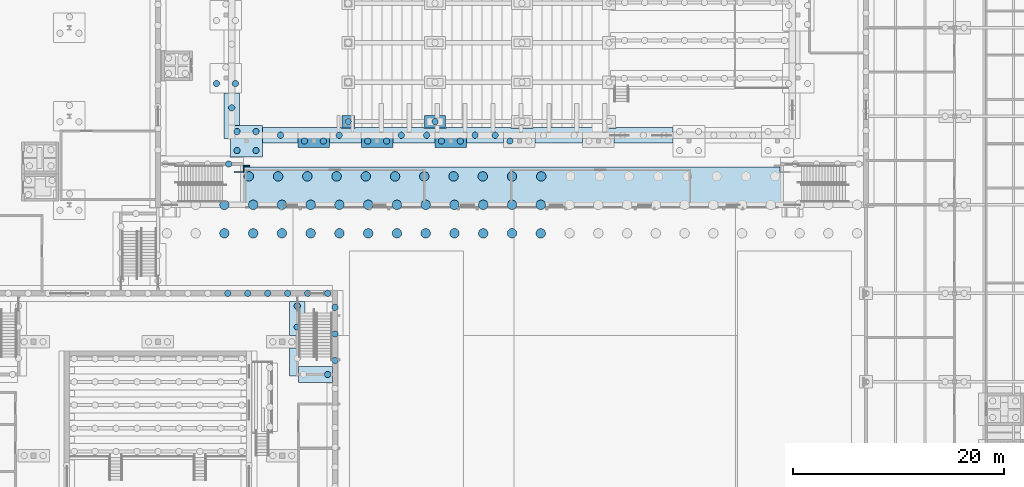
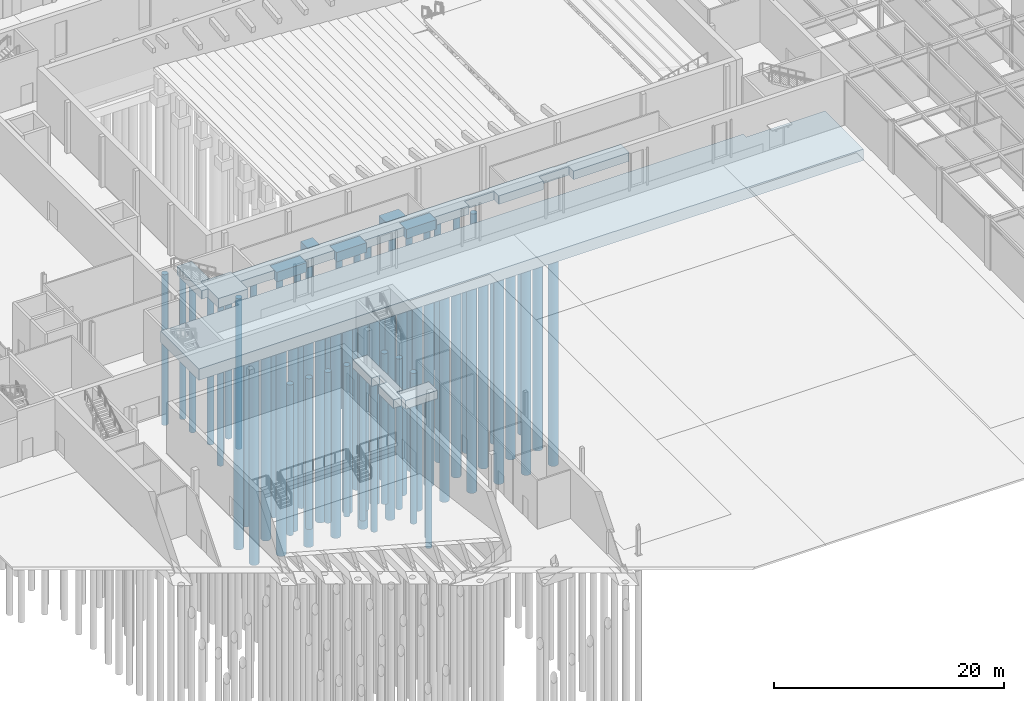
# One storey, part 5 of 127: 70 piles, 12 footings.
"""IFC4 building model written with IfcOpenShell, lengths in metres."""

from ifc_helpers import new_model, si_unit, direction, frame, origin, origin_2d, place, context, subcontext, project, spatial, polyline, circle, outline, extrude, material, layer, layer_set, material_profile, profile_set, type_object, element, save


model = new_model("IFC4")

# Units and contexts
model_context = context("Model", 3, precision=1e-05, world=origin(), true_north=direction((0.0, 1.0)))
body_context = subcontext(model_context, "Body", "Model", "MODEL_VIEW")
ifc_project = project(units=[si_unit("LENGTHUNIT", "METRE"), si_unit("AREAUNIT", "SQUARE_METRE"), si_unit("VOLUMEUNIT", "CUBIC_METRE"), si_unit("PLANEANGLEUNIT", "RADIAN"), si_unit("MASSUNIT", "GRAM", prefix="KILO")], contexts=[model_context])

# Site, building, storey
site_placement = place(None, origin())
site = spatial("IfcSite", under=ifc_project, at=site_placement, CompositionType="ELEMENT")
building_placement = place(site_placement, origin())
building = spatial("IfcBuilding", under=site, at=building_placement, Name="Ljudholm Concert House", CompositionType="ELEMENT")
storey_placement = place(building_placement, origin())
storey = spatial("IfcBuildingStorey", under=building, at=storey_placement, Name="L00", CompositionType="ELEMENT", Elevation=0.0)

# Piles
ifc_material_1 = material(Name="Concrete 5,000 psi", Category="concrete")
ifc_material_profile_1 = material_profile(ifc_material_1, circle(Radius=0.300048828125, at=origin_2d()), Name="AUGER-CAST PILE D600")
ifc_profile_set_1 = profile_set([ifc_material_profile_1], Name="Concrete 5,000 psi")
pile_type_1 = type_object("IfcPileType", Name="AUGER-CAST PILE D600", PredefinedType="BORED", material=ifc_profile_set_1)
for number, where, z_axis, x_axis, name in (
    (1, (34.75, 65.910400390625, -1.300048828125), (0.0, 0.0, -1.0), (1.0, 0.0, 0.0), "Pile D600"),
    (2, (36.550048828125, 65.910400390625, -1.300048828125), (0.0, 0.0, -1.0), (1.0, 0.0, 0.0), "Pile D600"),
    (3, (36.699951171875, 59.550048828125, -1.300048828125), (0.0, 0.0, -1.0), (1.0, 0.0, 0.0), "Pile D600"),
    (4, (38.5, 59.550048828125, -1.300048828125), (0.0, 0.0, -1.0), (1.0, 0.0, 0.0), "Pile D600"),
    (5, (36.699951171875, 61.35009765625, -1.300048828125), (0.0, 0.0, -1.0), (1.0, 0.0, 0.0), "Pile D600"),
    (6, (38.5, 61.35009765625, -1.300048828125), (0.0, 0.0, -1.0), (1.0, 0.0, 0.0), "Pile D600"),
    (7, (43.10009765625, 60.449951171875, -1.300048828125), (0.0, 0.0, -1.0), (1.0, 0.0, 0.0), "Pile D600"),
    (8, (44.89990234375, 60.449951171875, -1.300048828125), (0.0, 0.0, -1.0), (1.0, 0.0, 0.0), "Pile D600"),
    (9, (47.25, 62.300048828125, -1.300048828125), (0.0, 0.0, -1.0), (1.0, 0.0, 0.0), "Pile D600"),
    (10, (49.10009765625, 60.449951171875, -1.300048828125), (0.0, 0.0, -1.0), (1.0, 0.0, 0.0), "Pile D600"),
    (11, (50.89990234375, 60.449951171875, -1.300048828125), (0.0, 0.0, -1.0), (1.0, 0.0, 0.0), "Pile D600"),
    (12, (55.5, 62.300048828125, -1.300048828125), (0.0, 0.0, -1.0), (1.0, 0.0, 0.0), "Pile D600"),
    (13, (56.10009765625, 60.449951171875, -1.300048828125), (0.0, 0.0, -1.0), (1.0, 0.0, 0.0), "Pile D600"),
    (14, (57.89990234375, 60.449951171875, -1.300048828125), (0.0, 0.0, -1.0), (1.0, 0.0, 0.0), "Pile D600"),
    (15, (62.60009765625, 60.449951171875, -1.300048828125), (0.0, 0.0, -1.0), (1.0, 0.0, 0.0), "Pile D600"),
    (16, (45.300048828125, 38.304931640625, -1.31005859375), (0.0, 0.0, -1.0), (1.0, 0.0, 0.0), "Pile D600"),
    (17, (35.829345703125, 46.0, -1.31005859375), (0.0, 0.0, -1.0), (1.0, 0.0, 0.0), "Pile D600"),
    (18, (37.7236328125, 46.0, -1.31005859375), (0.0, 0.0, -1.0), (1.0, 0.0, 0.0), "Pile D600"),
    (19, (39.61767578125, 46.0, -1.31005859375), (0.0, 0.0, -1.0), (1.0, 0.0, 0.0), "Pile D600"),
    (20, (41.51171875, 46.0, -1.31005859375), (0.0, 0.0, -1.0), (1.0, 0.0, 0.0), "Pile D600"),
    (21, (43.40576171875, 46.0, -1.31005859375), (0.0, 0.0, -1.0), (1.0, 0.0, 0.0), "Pile D600"),
    (22, (45.300048828125, 46.0, -1.31005859375), (0.0, 0.0, -1.0), (1.0, 0.0, 0.0), "Pile D600"),
    (23, (35.91064453125, 58.27490234375, -1.39990234375), (0.0, 0.0, -1.0), (1.0, 0.0, 0.0), "Pile D600"),
    (24, (40.83154296875, 61.0, -1.199951171875), (0.0, 0.0, -1.0), (1.0, 0.0, 0.0), "Pile D600"),
    (25, (46.398681640625, 61.0, -1.199951171875), (0.0, 0.0, -1.0), (1.0, 0.0, 0.0), "Pile D600"),
    (26, (52.295166015625, 61.0, -1.199951171875), (0.0, 0.0, -1.0), (1.0, 0.0, 0.0), "Pile D600"),
    (27, (54.704833984375, 61.0, -1.199951171875), (0.0, 0.0, -1.0), (1.0, 0.0, 0.0), "Pile D600"),
    (28, (59.295166015625, 61.0, -1.199951171875), (0.0, 0.0, -1.0), (1.0, 0.0, 0.0), "Pile D600"),
    (29, (61.204833984375, 61.0, -1.199951171875), (0.0, 0.0, -1.0), (1.0, 0.0, 0.0), "Pile D600"),
    (30, (42.425048828125, 42.8046875, -1.31005859375), (0.0, 0.0, -1.0), (1.0, 0.0, 0.0), "Pile D600"),
    (31, (42.425048828125, 44.800048828125, -1.31005859375), (0.0, 0.0, -1.0), (1.0, 0.0, 0.0), "Pile D600"),
    (32, (46.0, 39.63134765625, -1.31005859375), (0.0, 0.0, -1.0), (1.0, 0.0, 0.0), "Pile D600"),
    (33, (46.0, 42.152587890625, -1.31005859375), (0.0, 0.0, -1.0), (1.0, 0.0, 0.0), "Pile D600"),
    (34, (46.0, 44.673583984375, -1.31005859375), (0.0, 0.0, -1.0), (1.0, 0.0, 0.0), "Pile D600"),
    (35, (36.199951171875, 63.608154296875, -1.199951171875), (0.0, 0.0, -1.0), (1.0, 0.0, 0.0), "Pile D600"),
):
    element("IfcPile", number, at=place(storey_placement, frame(where, z_axis=z_axis, x_axis=x_axis)), inside=storey, type_object=pile_type_1, Name=name, PredefinedType="BORED", context=body_context, shape_type="SweptSolid", body=[
        extrude(circle(Radius=0.300048828125, at=origin_2d()), origin(), (0.0, 0.0, 1.0), 16.0),
    ])
ifc_material_2 = material(Name="Concrete 5,000 psi", Category="concrete")
ifc_material_profile_2 = material_profile(ifc_material_2, circle(Radius=0.449951171875, at=origin_2d()), Name="AUGER-CAST PILE D900")
ifc_profile_set_2 = profile_set([ifc_material_profile_2], Name="Concrete 5,000 psi")
pile_type_2 = type_object("IfcPileType", Name="AUGER-CAST PILE D900", PredefinedType="BORED", material=ifc_profile_set_2)
for number, where, z_axis, x_axis, name in (
    (36, (35.50830078125, 51.699951171875, -1.699951171875), (0.0, 0.0, -1.0), (1.0, 0.0, 0.0), "Pile D900"),
    (37, (38.237548828125, 51.699951171875, -1.699951171875), (0.0, 0.0, -1.0), (1.0, 0.0, 0.0), "Pile D900"),
    (38, (40.966552734375, 51.699951171875, -1.699951171875), (0.0, 0.0, -1.0), (1.0, 0.0, 0.0), "Pile D900"),
    (39, (43.69580078125, 51.699951171875, -1.699951171875), (0.0, 0.0, -1.0), (1.0, 0.0, 0.0), "Pile D900"),
    (40, (46.425048828125, 51.699951171875, -1.699951171875), (0.0, 0.0, -1.0), (1.0, 0.0, 0.0), "Pile D900"),
    (41, (49.154052734375, 51.699951171875, -1.699951171875), (0.0, 0.0, -1.0), (1.0, 0.0, 0.0), "Pile D900"),
    (42, (51.88330078125, 51.699951171875, -1.699951171875), (0.0, 0.0, -1.0), (1.0, 0.0, 0.0), "Pile D900"),
    (43, (54.612548828125, 51.699951171875, -1.699951171875), (0.0, 0.0, -1.0), (1.0, 0.0, 0.0), "Pile D900"),
    (44, (57.341552734375, 51.699951171875, -1.699951171875), (0.0, 0.0, -1.0), (1.0, 0.0, 0.0), "Pile D900"),
    (45, (60.07080078125, 51.699951171875, -1.699951171875), (0.0, 0.0, -1.0), (1.0, 0.0, 0.0), "Pile D900"),
    (46, (62.800048828125, 51.699951171875, -1.699951171875), (0.0, 0.0, -1.0), (1.0, 0.0, 0.0), "Pile D900"),
    (47, (65.529052734375, 51.699951171875, -1.699951171875), (0.0, 0.0, -1.0), (1.0, 0.0, 0.0), "Pile D900"),
    (48, (35.50830078125, 54.39990234375, -1.699951171875), (0.0, 0.0, -1.0), (1.0, 0.0, 0.0), "Pile D900"),
    (49, (38.237548828125, 54.39990234375, -1.699951171875), (0.0, 0.0, -1.0), (1.0, 0.0, 0.0), "Pile D900"),
    (50, (40.966552734375, 54.39990234375, -1.699951171875), (0.0, 0.0, -1.0), (1.0, 0.0, 0.0), "Pile D900"),
    (51, (43.69580078125, 54.39990234375, -1.699951171875), (0.0, 0.0, -1.0), (1.0, 0.0, 0.0), "Pile D900"),
    (52, (46.425048828125, 54.39990234375, -1.699951171875), (0.0, 0.0, -1.0), (1.0, 0.0, 0.0), "Pile D900"),
    (53, (49.154052734375, 54.39990234375, -1.699951171875), (0.0, 0.0, -1.0), (1.0, 0.0, 0.0), "Pile D900"),
    (54, (51.88330078125, 54.39990234375, -1.699951171875), (0.0, 0.0, -1.0), (1.0, 0.0, 0.0), "Pile D900"),
    (55, (54.612548828125, 54.39990234375, -1.699951171875), (0.0, 0.0, -1.0), (1.0, 0.0, 0.0), "Pile D900"),
    (56, (57.341552734375, 54.39990234375, -1.699951171875), (0.0, 0.0, -1.0), (1.0, 0.0, 0.0), "Pile D900"),
    (57, (60.07080078125, 54.39990234375, -1.699951171875), (0.0, 0.0, -1.0), (1.0, 0.0, 0.0), "Pile D900"),
    (58, (62.800048828125, 54.39990234375, -1.699951171875), (0.0, 0.0, -1.0), (1.0, 0.0, 0.0), "Pile D900"),
    (59, (65.529052734375, 54.39990234375, -1.699951171875), (0.0, 0.0, -1.0), (1.0, 0.0, 0.0), "Pile D900"),
    (60, (37.828857421875, 57.10009765625, -1.699951171875), (0.0, 0.0, -1.0), (1.0, 0.0, 0.0), "Pile D900"),
    (61, (40.603515625, 57.10009765625, -1.699951171875), (0.0, 0.0, -1.0), (1.0, 0.0, 0.0), "Pile D900"),
    (62, (43.3779296875, 57.10009765625, -1.699951171875), (0.0, 0.0, -1.0), (1.0, 0.0, 0.0), "Pile D900"),
    (63, (46.152587890625, 57.10009765625, -1.699951171875), (0.0, 0.0, -1.0), (1.0, 0.0, 0.0), "Pile D900"),
    (64, (48.92724609375, 57.10009765625, -1.699951171875), (0.0, 0.0, -1.0), (1.0, 0.0, 0.0), "Pile D900"),
    (65, (51.70166015625, 57.10009765625, -1.699951171875), (0.0, 0.0, -1.0), (1.0, 0.0, 0.0), "Pile D900"),
    (66, (54.476318359375, 57.10009765625, -1.699951171875), (0.0, 0.0, -1.0), (1.0, 0.0, 0.0), "Pile D900"),
    (67, (57.2509765625, 57.10009765625, -1.699951171875), (0.0, 0.0, -1.0), (1.0, 0.0, 0.0), "Pile D900"),
    (68, (60.025390625, 57.10009765625, -1.699951171875), (0.0, 0.0, -1.0), (1.0, 0.0, 0.0), "Pile D900"),
    (69, (62.800048828125, 57.10009765625, -1.699951171875), (0.0, 0.0, -1.0), (1.0, 0.0, 0.0), "Pile D900"),
    (70, (65.574462890625, 57.10009765625, -1.699951171875), (0.0, 0.0, -1.0), (1.0, 0.0, 0.0), "Pile D900"),
):
    element("IfcPile", number, at=place(storey_placement, frame(where, z_axis=z_axis, x_axis=x_axis)), inside=storey, type_object=pile_type_2, Name=name, PredefinedType="BORED", context=body_context, shape_type="SweptSolid", body=[
        extrude(circle(Radius=0.449951171875, at=origin_2d()), origin(), (0.0, 0.0, 1.0), 22.0),
    ])

# Footings
ifc_material_3 = material(Name="Concrete 5,000 psi", Category="concrete")
ifc_layer_1 = layer(ifc_material_3, 1.0)
ifc_layer_set_1 = layer_set([ifc_layer_1], Name="Concrete 5,000 psi")
footing_type_1 = type_object("IfcFootingType", Name="RC PILE CAP 1200x1200x1000", PredefinedType="PILE_CAP", material=ifc_layer_set_1)
footing_1_placement = place(storey_placement, frame((0.0, 0.0, -1.300048828125)))
element("IfcFooting", 71, at=footing_1_placement, inside=storey, type_object=footing_type_1, Name="Pile cap", PredefinedType="PILE_CAP", context=body_context, shape_type="SweptSolid", body=[
    extrude(outline(polyline([(46.659912109375, 61.699951171875), (47.840087890625, 61.699951171875), (47.84375, 61.70068359375), (47.84716796875, 61.702880859375), (47.84912109375, 61.7060546875), (47.85009765625, 61.7099609375), (47.85009765625, 62.889892578125), (47.84912109375, 62.893798828125), (47.84716796875, 62.89697265625), (47.84375, 62.899169921875), (47.840087890625, 62.89990234375), (46.659912109375, 62.89990234375), (46.65625, 62.899169921875), (46.65283203125, 62.89697265625), (46.65087890625, 62.893798828125), (46.64990234375, 62.889892578125), (46.64990234375, 61.7099609375), (46.65087890625, 61.7060546875), (46.65283203125, 61.702880859375), (46.65625, 61.70068359375), (46.659912109375, 61.699951171875)])), origin(), (0.0, 0.0, 1.0), 1.0),
])
ifc_material_4 = material(Name="Concrete 5,000 psi", Category="concrete")
ifc_layer_2 = layer(ifc_material_4, 1.0)
ifc_layer_set_2 = layer_set([ifc_layer_2], Name="Concrete 5,000 psi")
footing_type_2 = type_object("IfcFootingType", Name="RC PILE CAP 2000x1200x1000", PredefinedType="PILE_CAP", material=ifc_layer_set_2)
footing_2_placement = place(storey_placement, frame((0.0, 0.0, -1.300048828125)))
element("IfcFooting", 72, at=footing_2_placement, inside=storey, type_object=footing_type_2, Name="Pile cap", PredefinedType="PILE_CAP", context=body_context, shape_type="SweptSolid", body=[
    extrude(outline(polyline([(54.510009765625, 61.699951171875), (56.489990234375, 61.699951171875), (56.49560546875, 61.70166015625), (56.498779296875, 61.705322265625), (56.5, 61.7099609375), (56.5, 62.889892578125), (56.498291015625, 62.8955078125), (56.49462890625, 62.89892578125), (56.489990234375, 62.89990234375), (54.510009765625, 62.89990234375), (54.50439453125, 62.898193359375), (54.501220703125, 62.894775390625), (54.5, 62.889892578125), (54.5, 61.7099609375), (54.500732421875, 61.7060546875), (54.5029296875, 61.702880859375), (54.506103515625, 61.70068359375), (54.510009765625, 61.699951171875)])), origin(), (0.0, 0.0, 1.0), 1.0),
])
ifc_material_5 = material(Name="Concrete 5,000 psi", Category="concrete")
ifc_layer_3 = layer(ifc_material_5, 1.0)
ifc_layer_set_3 = layer_set([ifc_layer_3], Name="Concrete 5,000 psi")
footing_type_3 = type_object("IfcFootingType", Name="RC PILE CAP 3000x1200x1000", PredefinedType="PILE_CAP", material=ifc_layer_set_3)
footing_3_placement = place(storey_placement, frame((0.0, 0.0, -1.300048828125)))
element("IfcFooting", 73, at=footing_3_placement, inside=storey, type_object=footing_type_3, Name="Pile cap", PredefinedType="PILE_CAP", context=body_context, shape_type="SweptSolid", body=[
    extrude(outline(polyline([(42.5, 61.0400390625), (42.5, 59.860107421875), (42.501708984375, 59.8544921875), (42.506103515625, 59.850830078125), (42.510009765625, 59.85009765625), (45.489990234375, 59.85009765625), (45.49560546875, 59.851806640625), (45.499267578125, 59.856201171875), (45.5, 59.860107421875), (45.5, 61.0400390625), (45.498291015625, 61.045654296875), (45.493896484375, 61.04931640625), (45.489990234375, 61.050048828125), (42.510009765625, 61.050048828125), (42.506103515625, 61.04931640625), (42.5029296875, 61.047119140625), (42.500732421875, 61.0439453125), (42.5, 61.0400390625)])), origin(), (0.0, 0.0, 1.0), 1.0),
])
footing_4_placement = place(storey_placement, frame((0.0, 0.0, -1.300048828125)))
element("IfcFooting", 74, at=footing_4_placement, inside=storey, type_object=footing_type_3, Name="Pile cap", PredefinedType="PILE_CAP", context=body_context, shape_type="SweptSolid", body=[
    extrude(outline(polyline([(48.5, 61.0400390625), (48.5, 59.860107421875), (48.501708984375, 59.8544921875), (48.506103515625, 59.850830078125), (48.510009765625, 59.85009765625), (51.489990234375, 59.85009765625), (51.49560546875, 59.851806640625), (51.499267578125, 59.856201171875), (51.5, 59.860107421875), (51.5, 61.0400390625), (51.498291015625, 61.045654296875), (51.493896484375, 61.04931640625), (51.489990234375, 61.050048828125), (48.510009765625, 61.050048828125), (48.506103515625, 61.04931640625), (48.5029296875, 61.047119140625), (48.500732421875, 61.0439453125), (48.5, 61.0400390625)])), origin(), (0.0, 0.0, 1.0), 1.0),
])
footing_5_placement = place(storey_placement, frame((0.0, 0.0, -1.300048828125)))
element("IfcFooting", 75, at=footing_5_placement, inside=storey, type_object=footing_type_3, Name="Pile cap", PredefinedType="PILE_CAP", context=body_context, shape_type="SweptSolid", body=[
    extrude(outline(polyline([(55.5, 61.0400390625), (55.5, 59.860107421875), (55.501708984375, 59.8544921875), (55.506103515625, 59.850830078125), (55.510009765625, 59.85009765625), (58.489990234375, 59.85009765625), (58.49560546875, 59.851806640625), (58.499267578125, 59.856201171875), (58.5, 59.860107421875), (58.5, 61.0400390625), (58.498291015625, 61.045654296875), (58.493896484375, 61.04931640625), (58.489990234375, 61.050048828125), (55.510009765625, 61.050048828125), (55.506103515625, 61.04931640625), (55.5029296875, 61.047119140625), (55.500732421875, 61.0439453125), (55.5, 61.0400390625)])), origin(), (0.0, 0.0, 1.0), 1.0),
])
ifc_material_6 = material(Name="Concrete 5,000 psi", Category="concrete")
ifc_layer_4 = layer(ifc_material_6, 1.0)
ifc_layer_set_4 = layer_set([ifc_layer_4], Name="Concrete 5,000 psi")
footing_type_4 = type_object("IfcFootingType", Name="RC PILE CAP 3000x3000x1000", PredefinedType="PILE_CAP", material=ifc_layer_set_4)
footing_6_placement = place(storey_placement, frame((0.0, 0.0, -1.300048828125)))
element("IfcFooting", 76, at=footing_6_placement, inside=storey, type_object=footing_type_4, Name="Pile cap", PredefinedType="PILE_CAP", context=body_context, shape_type="SweptSolid", body=[
    extrude(outline(polyline([(36.110107421875, 58.949951171875), (39.090087890625, 58.949951171875), (39.09375, 58.95068359375), (39.09716796875, 58.952880859375), (39.09912109375, 58.9560546875), (39.10009765625, 58.9599609375), (39.10009765625, 61.93994140625), (39.09912109375, 61.94384765625), (39.09716796875, 61.947021484375), (39.09375, 61.94921875), (39.090087890625, 61.949951171875), (36.110107421875, 61.949951171875), (36.106201171875, 61.94921875), (36.10302734375, 61.947021484375), (36.100830078125, 61.94384765625), (36.10009765625, 61.93994140625), (36.10009765625, 58.9599609375), (36.100830078125, 58.9560546875), (36.10302734375, 58.952880859375), (36.106201171875, 58.95068359375), (36.110107421875, 58.949951171875)])), origin(), (0.0, 0.0, 1.0), 1.0),
])
ifc_material_7 = material(Name="Concrete 5,000 psi", Category="concrete")
ifc_layer_5 = layer(ifc_material_7, 0.89990234375)
ifc_layer_set_5 = layer_set([ifc_layer_5], Name="Concrete 5,000 psi")
footing_type_5 = type_object("IfcFootingType", Name="RC STRIP FOOTING 1500x900", PredefinedType="STRIP_FOOTING", material=ifc_layer_set_5)
footing_7_placement = place(storey_placement, frame((0.0, 0.0, -1.31005859375)))
element("IfcFooting", 77, at=footing_7_placement, inside=storey, type_object=footing_type_5, Name="Strip footing", PredefinedType="STRIP_FOOTING", context=body_context, shape_type="SweptSolid", body=[
    extrude(outline(polyline([(42.56005859375, 37.554931640625), (45.739990234375, 37.554931640625), (45.743896484375, 37.5556640625), (45.748291015625, 37.559326171875), (45.75, 37.56494140625), (45.75, 39.044921875), (45.749267578125, 39.048828125), (45.74560546875, 39.05322265625), (45.739990234375, 39.054931640625), (42.56005859375, 39.054931640625), (42.55615234375, 39.05419921875), (42.5517578125, 39.050537109375), (42.550048828125, 39.044921875), (42.550048828125, 37.56494140625), (42.55078125, 37.561279296875), (42.552978515625, 37.557861328125), (42.55615234375, 37.5556640625), (42.56005859375, 37.554931640625)])), origin(), (0.0, 0.0, 1.0), 0.900146484375),
])
footing_8_placement = place(storey_placement, frame((0.0, 0.0, -1.199951171875)))
element("IfcFooting", 78, at=footing_8_placement, inside=storey, type_object=footing_type_5, Name="Strip footing", PredefinedType="STRIP_FOOTING", context=body_context, shape_type="SweptSolid", body=[
    extrude(outline(polyline([(39.110107421875, 60.25), (42.491943359375, 60.250244140625), (42.49560546875, 60.251708984375), (42.497802734375, 60.253662109375), (42.49951171875, 60.257080078125), (42.5, 60.260009765625), (42.5, 61.039794921875), (42.500732421875, 61.043701171875), (42.5029296875, 61.047119140625), (42.506103515625, 61.04931640625), (42.51025390625, 61.050048828125), (45.492919921875, 61.049560546875), (45.49560546875, 61.04833984375), (45.498291015625, 61.045654296875), (45.5, 61.039794921875), (45.5, 60.260009765625), (45.50048828125, 60.257080078125), (45.502197265625, 60.253662109375), (45.50537109375, 60.251220703125), (45.509033203125, 60.25), (48.490966796875, 60.25), (48.49462890625, 60.251220703125), (48.497802734375, 60.253662109375), (48.49951171875, 60.257080078125), (48.5, 60.260009765625), (48.5, 61.039794921875), (48.501708984375, 61.045654296875), (48.50439453125, 61.04833984375), (48.507080078125, 61.049560546875), (51.48974609375, 61.050048828125), (51.493896484375, 61.04931640625), (51.4970703125, 61.047119140625), (51.499267578125, 61.043701171875), (51.5, 61.039794921875), (51.5, 60.260009765625), (51.50048828125, 60.257080078125), (51.502197265625, 60.253662109375), (51.50439453125, 60.251708984375), (51.508056640625, 60.250244140625), (55.489990234375, 60.25), (55.493896484375, 60.250732421875), (55.4970703125, 60.2529296875), (55.499267578125, 60.256103515625), (55.5, 60.260009765625), (55.5, 61.039794921875), (55.501708984375, 61.045654296875), (55.50439453125, 61.04833984375), (55.507080078125, 61.049560546875), (58.48974609375, 61.050048828125), (58.493896484375, 61.04931640625), (58.4970703125, 61.047119140625), (58.499267578125, 61.043701171875), (58.5, 61.039794921875), (58.5, 60.260009765625), (58.50048828125, 60.257080078125), (58.502197265625, 60.253662109375), (58.50439453125, 60.251708984375), (58.508056640625, 60.250244140625), (61.989990234375, 60.25), (61.993896484375, 60.250732421875), (61.9970703125, 60.2529296875), (61.999267578125, 60.256103515625), (62.0, 60.260009765625), (62.0, 61.039794921875), (62.001708984375, 61.045654296875), (62.00439453125, 61.04833984375), (62.007080078125, 61.049560546875), (64.98974609375, 61.050048828125), (64.993896484375, 61.04931640625), (64.9970703125, 61.047119140625), (64.999267578125, 61.043701171875), (65.0, 61.039794921875), (65.0, 60.260009765625), (65.000732421875, 60.256103515625), (65.002197265625, 60.253662109375), (65.00439453125, 60.251708984375), (65.008056640625, 60.250244140625), (69.489990234375, 60.25), (69.493896484375, 60.250732421875), (69.4970703125, 60.2529296875), (69.499267578125, 60.256103515625), (69.5, 60.260009765625), (69.5, 61.039794921875), (69.501708984375, 61.045654296875), (69.50439453125, 61.04833984375), (69.507080078125, 61.049560546875), (72.48974609375, 61.050048828125), (72.493896484375, 61.04931640625), (72.4970703125, 61.047119140625), (72.499267578125, 61.043701171875), (72.5, 61.039794921875), (72.5, 60.260009765625), (72.500732421875, 60.256103515625), (72.5029296875, 60.2529296875), (72.50537109375, 60.251220703125), (72.509033203125, 60.25), (78.090087890625, 60.25), (78.09375, 60.250732421875), (78.09716796875, 60.2529296875), (78.09912109375, 60.256103515625), (78.10009765625, 60.260009765625), (78.10009765625, 61.739990234375), (78.09912109375, 61.743896484375), (78.09716796875, 61.7470703125), (78.09375, 61.749267578125), (78.090087890625, 61.75), (72.659912109375, 61.75), (72.656982421875, 61.74951171875), (72.653564453125, 61.747802734375), (72.651123046875, 61.74462890625), (72.650146484375, 61.741943359375), (72.64990234375, 61.658935546875), (72.649169921875, 61.65625), (72.64697265625, 61.65283203125), (72.644775390625, 61.651123046875), (72.640869140625, 61.650146484375), (71.3603515625, 61.64990234375), (71.357177734375, 61.650390625), (71.353759765625, 61.65234375), (71.351806640625, 61.654541015625), (71.35009765625, 61.657958984375), (71.349853515625, 61.740966796875), (71.34912109375, 61.743896484375), (71.34716796875, 61.7470703125), (71.34375, 61.749267578125), (71.340087890625, 61.75), (64.81005859375, 61.75), (64.80615234375, 61.749267578125), (64.802978515625, 61.7470703125), (64.80078125, 61.743896484375), (64.800048828125, 61.740966796875), (64.7998046875, 61.657958984375), (64.79833984375, 61.654541015625), (64.79638671875, 61.65234375), (64.79296875, 61.650390625), (64.789794921875, 61.64990234375), (62.710205078125, 61.64990234375), (62.70703125, 61.650390625), (62.70361328125, 61.65234375), (62.701171875, 61.6552734375), (62.7001953125, 61.657958984375), (62.699951171875, 61.740966796875), (62.69873046875, 61.74462890625), (62.6962890625, 61.747802734375), (62.69287109375, 61.74951171875), (62.68994140625, 61.75), (56.56005859375, 61.75), (56.55712890625, 61.74951171875), (56.5537109375, 61.747802734375), (56.55126953125, 61.74462890625), (56.550048828125, 61.740966796875), (56.5498046875, 61.657958984375), (56.548828125, 61.6552734375), (56.54638671875, 61.65234375), (56.54296875, 61.650390625), (56.539794921875, 61.64990234375), (54.460205078125, 61.64990234375), (54.45703125, 61.650390625), (54.45361328125, 61.65234375), (54.451171875, 61.6552734375), (54.4501953125, 61.657958984375), (54.449951171875, 61.740966796875), (54.44873046875, 61.74462890625), (54.4462890625, 61.747802734375), (54.44287109375, 61.74951171875), (54.43994140625, 61.75), (47.909912109375, 61.75), (47.906982421875, 61.74951171875), (47.903564453125, 61.747802734375), (47.901611328125, 61.74560546875), (47.900146484375, 61.741943359375), (47.89990234375, 61.658935546875), (47.89892578125, 61.6552734375), (47.89697265625, 61.65283203125), (47.894775390625, 61.651123046875), (47.890869140625, 61.650146484375), (46.6103515625, 61.64990234375), (46.607177734375, 61.650390625), (46.603759765625, 61.65234375), (46.60107421875, 61.6552734375), (46.60009765625, 61.657958984375), (46.599853515625, 61.740966796875), (46.598876953125, 61.74462890625), (46.596435546875, 61.747802734375), (46.593017578125, 61.74951171875), (46.590087890625, 61.75), (39.110107421875, 61.75), (39.106201171875, 61.749267578125), (39.10302734375, 61.7470703125), (39.100830078125, 61.743896484375), (39.10009765625, 61.739990234375), (39.10009765625, 60.260009765625), (39.100830078125, 60.256103515625), (39.10302734375, 60.2529296875), (39.106201171875, 60.250732421875), (39.110107421875, 60.25)])), origin(), (0.0, 0.0, 1.0), 0.89990234375),
])
footing_9_placement = place(storey_placement, frame((0.0, 0.0, -1.31005859375)))
element("IfcFooting", 79, at=footing_9_placement, inside=storey, type_object=footing_type_5, Name="Strip footing", PredefinedType="STRIP_FOOTING", context=body_context, shape_type="SweptSolid", body=[
    extrude(outline(polyline([(41.68505859375, 38.179931640625), (42.489990234375, 38.179931640625), (42.49560546875, 38.181640625), (42.498779296875, 38.185302734375), (42.5, 38.18994140625), (42.5, 39.0947265625), (42.501708984375, 39.1005859375), (42.50537109375, 39.103759765625), (42.51025390625, 39.10498046875), (43.1650390625, 39.10498046875), (43.16796875, 39.10546875), (43.17138671875, 39.107177734375), (43.17333984375, 39.109375), (43.1748046875, 39.113037109375), (43.175048828125, 45.239990234375), (43.174560546875, 45.242919921875), (43.1728515625, 45.246337890625), (43.170654296875, 45.248291015625), (43.1669921875, 45.249755859375), (41.68505859375, 45.25), (41.68212890625, 45.24951171875), (41.6787109375, 45.247802734375), (41.6767578125, 45.24560546875), (41.67529296875, 45.241943359375), (41.675537109375, 42.007080078125), (41.6787109375, 42.002197265625), (41.68212890625, 42.00048828125), (41.68505859375, 42.0), (42.48974609375, 42.0), (42.493896484375, 41.999267578125), (42.4970703125, 41.9970703125), (42.499267578125, 41.993896484375), (42.5, 41.98974609375), (42.5, 40.810302734375), (42.498291015625, 40.804443359375), (42.49462890625, 40.80126953125), (42.48974609375, 40.800048828125), (41.68505859375, 40.800048828125), (41.68212890625, 40.799560546875), (41.6787109375, 40.7978515625), (41.6767578125, 40.795654296875), (41.67529296875, 40.7919921875), (41.675048828125, 38.18994140625), (41.67578125, 38.186279296875), (41.677978515625, 38.182861328125), (41.68115234375, 38.1806640625), (41.68505859375, 38.179931640625)])), origin(), (0.0, 0.0, 1.0), 0.900146484375),
])
footing_10_placement = place(storey_placement, frame((0.0, 0.0, -1.199951171875)))
element("IfcFooting", 80, at=footing_10_placement, inside=storey, type_object=footing_type_5, Name="Strip footing", PredefinedType="STRIP_FOOTING", context=body_context, shape_type="SweptSolid", body=[
    extrude(outline(polyline([(35.4599609375, 60.699951171875), (36.090087890625, 60.699951171875), (36.095458984375, 60.70166015625), (36.098876953125, 60.705322265625), (36.10009765625, 60.7099609375), (36.10009765625, 61.939697265625), (36.100830078125, 61.94384765625), (36.103759765625, 61.94775390625), (36.107177734375, 61.949462890625), (36.1103515625, 61.949951171875), (36.93994140625, 61.949951171875), (36.94287109375, 61.950439453125), (36.9462890625, 61.9521484375), (36.949462890625, 61.95703125), (36.949951171875, 65.02001953125), (36.9482421875, 65.025634765625), (36.945556640625, 65.0283203125), (36.94287109375, 65.029541015625), (35.4599609375, 65.030029296875), (35.454345703125, 65.0283203125), (35.45166015625, 65.025634765625), (35.450439453125, 65.02294921875), (35.449951171875, 60.7099609375), (35.45068359375, 60.7060546875), (35.452880859375, 60.702880859375), (35.4560546875, 60.70068359375), (35.4599609375, 60.699951171875)])), origin(), (0.0, 0.0, 1.0), 0.89990234375),
])
ifc_material_8 = material(Name="Concrete 5,000 psi", Category="concrete")
ifc_layer_6 = layer(ifc_material_8, 0.89990234375)
ifc_layer_set_6 = layer_set([ifc_layer_6], Name="Concrete 5,000 psi")
footing_type_6 = type_object("IfcFootingType", Name="RC STRIP FOOTING 600x900", PredefinedType="STRIP_FOOTING", material=ifc_layer_set_6)
footing_11_placement = place(storey_placement, frame((0.0, 0.0, -1.39990234375)))
element("IfcFooting", 81, at=footing_11_placement, inside=storey, type_object=footing_type_6, Name="Strip footing", PredefinedType="STRIP_FOOTING", context=body_context, shape_type="SweptSolid", body=[
    extrude(outline(polyline([(36.43505859375, 57.47509765625), (37.340087890625, 57.47509765625), (37.34375, 57.475830078125), (37.348388671875, 57.4794921875), (37.35009765625, 57.485107421875), (37.35009765625, 57.98974609375), (37.350341796875, 57.992919921875), (37.352294921875, 57.996337890625), (37.356201171875, 57.999267578125), (37.3603515625, 58.0), (37.91796875, 58.00048828125), (37.9228515625, 58.003662109375), (37.924560546875, 58.007080078125), (37.925048828125, 58.010009765625), (37.925048828125, 58.139892578125), (37.92431640625, 58.143798828125), (37.920654296875, 58.148193359375), (37.9150390625, 58.14990234375), (37.31005859375, 58.14990234375), (37.30615234375, 58.149169921875), (37.302978515625, 58.14697265625), (37.30078125, 58.143798828125), (37.300048828125, 58.139892578125), (37.300048828125, 57.53515625), (37.29833984375, 57.529541015625), (37.293701171875, 57.52587890625), (37.289794921875, 57.52490234375), (36.43408203125, 57.52490234375), (36.4287109375, 57.522705078125), (36.4267578125, 57.5205078125), (36.42529296875, 57.516845703125), (36.425048828125, 57.485107421875), (36.42578125, 57.481201171875), (36.427978515625, 57.47802734375), (36.43115234375, 57.475830078125), (36.43505859375, 57.47509765625)])), origin(), (0.0, 0.0, 1.0), 0.89990234375),
])
ifc_material_9 = material(Name="Concrete 5,000 psi", Category="concrete")
ifc_layer_7 = layer(ifc_material_9, 1.199951171875)
ifc_layer_set_7 = layer_set([ifc_layer_7], Name="Concrete 5,000 psi")
footing_type_7 = type_object("IfcFootingType", Name="RC STRIP FOOTING 7200x1200", PredefinedType="STRIP_FOOTING", material=ifc_layer_set_7)
footing_12_placement = place(storey_placement, frame((0.0, 0.0, -1.699951171875)))
element("IfcFooting", 82, at=footing_12_placement, inside=storey, type_object=footing_type_7, Name="Strip footing", PredefinedType="STRIP_FOOTING", context=body_context, shape_type="SweptSolid", body=[
    extrude(outline(polyline([(29.4599609375, 50.800048828125), (96.140869140625, 50.800048828125), (96.144775390625, 50.80126953125), (96.14697265625, 50.802978515625), (96.149169921875, 50.80615234375), (96.14990234375, 50.81005859375), (96.14990234375, 57.466064453125), (96.149169921875, 57.46875), (96.14697265625, 57.47216796875), (96.143798828125, 57.47412109375), (96.139892578125, 57.47509765625), (88.259033203125, 57.47509765625), (88.25537109375, 57.47607421875), (88.252197265625, 57.478759765625), (88.25048828125, 57.482177734375), (88.25, 57.4853515625), (88.25, 57.989990234375), (88.249267578125, 57.993896484375), (88.2470703125, 57.9970703125), (88.243896484375, 57.999267578125), (88.239990234375, 58.0), (37.360107421875, 58.0), (37.356201171875, 57.999267578125), (37.35302734375, 57.9970703125), (37.350830078125, 57.993896484375), (37.35009765625, 57.989990234375), (37.35009765625, 57.4853515625), (37.349609375, 57.482177734375), (37.34765625, 57.478759765625), (37.3447265625, 57.47607421875), (37.341064453125, 57.47509765625), (29.458984375, 57.474853515625), (29.455322265625, 57.473876953125), (29.4521484375, 57.471435546875), (29.45068359375, 57.46875), (29.449951171875, 57.465087890625), (29.449951171875, 50.81005859375), (29.45068359375, 50.80615234375), (29.452880859375, 50.802978515625), (29.4560546875, 50.80078125), (29.4599609375, 50.800048828125)])), origin(), (0.0, 0.0, 1.0), 1.199951171875),
])

save(model, "model.ifc")
